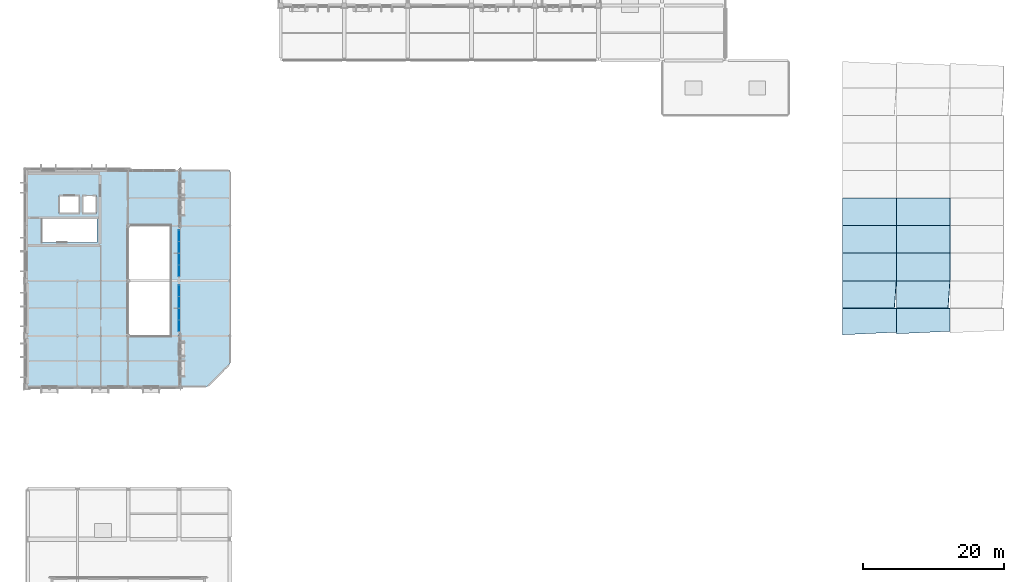
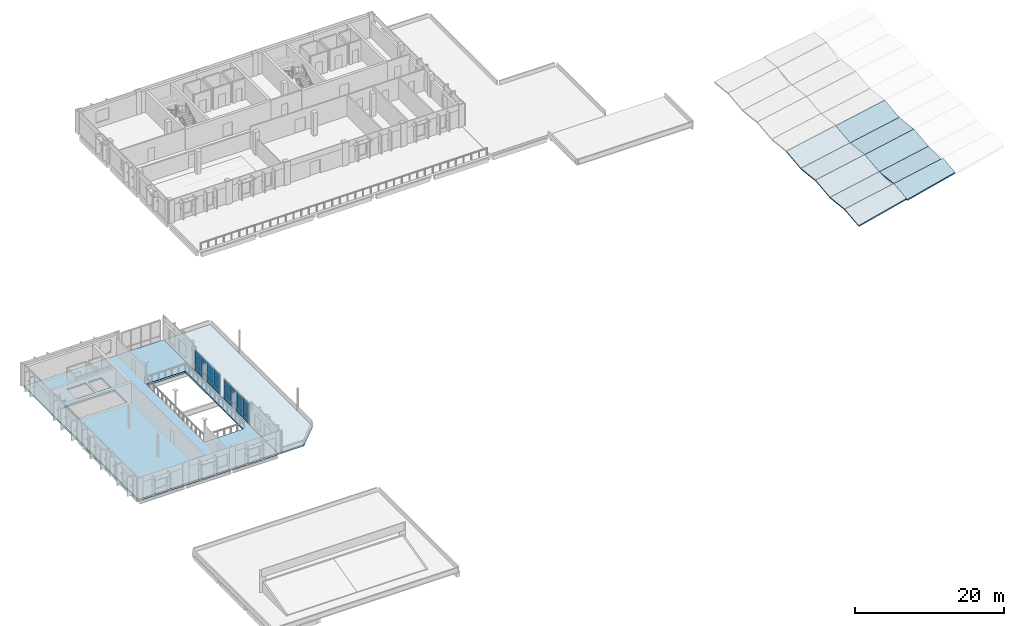
# One storey, part 7 of 23: 16 plates, 12 slabs, 4 elements without a shape of their own.
"""IFC4 building model written with IfcOpenShell, lengths in metres."""

from ifc_helpers import new_model, si_unit, direction, frame, origin, origin_2d, place, context, subcontext, project, spatial, polyline, rectangle, outline, extrude, material, layer, layer_set, type_object, element, aggregate, save


model = new_model("IFC4")

# Units and contexts
model_context = context("Model", 3, precision=1e-05, world=origin(), true_north=direction((0.0, 1.0)))
body_context = subcontext(model_context, "Body", "Model", "MODEL_VIEW")
ifc_project = project(units=[si_unit("LENGTHUNIT", "METRE"), si_unit("AREAUNIT", "SQUARE_METRE"), si_unit("VOLUMEUNIT", "CUBIC_METRE"), si_unit("PLANEANGLEUNIT", "RADIAN"), si_unit("MASSUNIT", "GRAM", prefix="KILO")], contexts=[model_context])

# Site, building, storey
site_placement = place(None, origin())
site = spatial("IfcSite", under=ifc_project, at=site_placement, CompositionType="ELEMENT")
building_placement = place(site_placement, origin())
building = spatial("IfcBuilding", under=site, at=building_placement, Name="Vervanel Yard Central Library", CompositionType="ELEMENT")
storey_placement = place(building_placement, frame((0.0, 0.0, 16.52001953125)))
storey = spatial("IfcBuildingStorey", under=building, at=storey_placement, Name="L04", CompositionType="ELEMENT", Elevation=16.52001953125)

# Curtain wall, plates
ifc_material_1 = material(Name="Thermally broken anodized aluminium 6063-T6", Category="aluminium")
curtain_wall_type = type_object("IfcCurtainWallType", Name="Atrium Courtyard Curtain Wall", PredefinedType="NOTDEFINED", material=ifc_material_1)
curtain_wall_1_placement = place(storey_placement, origin())
curtain_wall_1 = element("IfcCurtainWall", 1, at=curtain_wall_1_placement, inside=storey, type_object=curtain_wall_type, Name="L04 Atrium Courtyard Curtain Wall CWR-L04-043", PredefinedType="NOTDEFINED")
ifc_material_2 = material(Name="Double low-E laminated solar-control glass", Category="glass")
ifc_layer_1 = layer(ifc_material_2, 0.030029296875, Category="glass")
ifc_layer_set_1 = layer_set([ifc_layer_1], Name="Double low-E laminated solar-control glass")
plate_type_1 = type_object("IfcPlateType", Name="Courtyard Clear Low-E Panel 30", PredefinedType="CURTAIN_PANEL", material=ifc_layer_set_1)
plate_1_placement = place(storey_placement, frame((21.60009765625, 44.611328125, 0.88232421875), z_axis=(0.0, 0.0, 1.0), x_axis=(0.0, 1.0, 0.0)))
plate_1 = element("IfcPlate", 2, at=plate_1_placement, type_object=plate_type_1, Name="CWR-L04-043 Panel B1-2", PredefinedType="CURTAIN_PANEL", context=body_context, shape_type="SweptSolid", body=[
    extrude(rectangle(XDim=1.572509765625, YDim=0.030029296875, at=origin_2d()), origin(), (0.0, 0.0, 1.0), 2.492431640625),
])
plate_2_placement = place(storey_placement, frame((21.60009765625, 46.248779296875, 0.88232421875), z_axis=(0.0, 0.0, 1.0), x_axis=(0.0, 1.0, 0.0)))
plate_2 = element("IfcPlate", 3, at=plate_2_placement, type_object=plate_type_1, Name="CWR-L04-043 Panel B2-2", PredefinedType="CURTAIN_PANEL", context=body_context, shape_type="SweptSolid", body=[
    extrude(rectangle(XDim=1.572509765625, YDim=0.030029296875, at=origin_2d()), origin(), (0.0, 0.0, 1.0), 2.492431640625),
])

curtain_wall_2_placement = place(storey_placement, origin())
curtain_wall_2 = element("IfcCurtainWall", 4, at=curtain_wall_2_placement, inside=storey, type_object=curtain_wall_type, Name="L04 Atrium Courtyard Curtain Wall CWR-L04-044", PredefinedType="NOTDEFINED")
plate_3_placement = place(storey_placement, frame((21.60009765625, 47.951171875, 0.88232421875), z_axis=(0.0, 0.0, 1.0), x_axis=(0.0, 1.0, 0.0)))
plate_3 = element("IfcPlate", 5, at=plate_3_placement, type_object=plate_type_1, Name="CWR-L04-044 Panel B1-2", PredefinedType="CURTAIN_PANEL", context=body_context, shape_type="SweptSolid", body=[
    extrude(rectangle(XDim=1.572509765625, YDim=0.030029296875, at=origin_2d()), origin(), (0.0, 0.0, 1.0), 2.492431640625),
])
plate_4_placement = place(storey_placement, frame((21.60009765625, 49.5888671875, 0.88232421875), z_axis=(0.0, 0.0, 1.0), x_axis=(0.0, 1.0, 0.0)))
plate_4 = element("IfcPlate", 6, at=plate_4_placement, type_object=plate_type_1, Name="CWR-L04-044 Panel B2-2", PredefinedType="CURTAIN_PANEL", context=body_context, shape_type="SweptSolid", body=[
    extrude(rectangle(XDim=1.572509765625, YDim=0.030029296875, at=origin_2d()), origin(), (0.0, 0.0, 1.0), 2.492431640625),
])

curtain_wall_3_placement = place(storey_placement, origin())
curtain_wall_3 = element("IfcCurtainWall", 7, at=curtain_wall_3_placement, inside=storey, type_object=curtain_wall_type, Name="L04 Atrium Courtyard Curtain Wall CWR-L04-045", PredefinedType="NOTDEFINED")
plate_5_placement = place(storey_placement, frame((21.60009765625, 52.4111328125, 0.88232421875), z_axis=(0.0, 0.0, 1.0), x_axis=(0.0, 1.0, 0.0)))
plate_5 = element("IfcPlate", 8, at=plate_5_placement, type_object=plate_type_1, Name="CWR-L04-045 Panel B1-2", PredefinedType="CURTAIN_PANEL", context=body_context, shape_type="SweptSolid", body=[
    extrude(rectangle(XDim=1.572509765625, YDim=0.030029296875, at=origin_2d()), origin(), (0.0, 0.0, 1.0), 2.492431640625),
])
plate_6_placement = place(storey_placement, frame((21.60009765625, 54.048828125, 0.88232421875), z_axis=(0.0, 0.0, 1.0), x_axis=(0.0, 1.0, 0.0)))
plate_6 = element("IfcPlate", 9, at=plate_6_placement, type_object=plate_type_1, Name="CWR-L04-045 Panel B2-2", PredefinedType="CURTAIN_PANEL", context=body_context, shape_type="SweptSolid", body=[
    extrude(rectangle(XDim=1.572509765625, YDim=0.030029296875, at=origin_2d()), origin(), (0.0, 0.0, 1.0), 2.492431640625),
])

curtain_wall_4_placement = place(storey_placement, origin())
curtain_wall_4 = element("IfcCurtainWall", 10, at=curtain_wall_4_placement, inside=storey, type_object=curtain_wall_type, Name="L04 Atrium Courtyard Curtain Wall CWR-L04-046", PredefinedType="NOTDEFINED")
plate_7_placement = place(storey_placement, frame((21.60009765625, 55.751220703125, 0.88232421875), z_axis=(0.0, 0.0, 1.0), x_axis=(0.0, 1.0, 0.0)))
plate_7 = element("IfcPlate", 11, at=plate_7_placement, type_object=plate_type_1, Name="CWR-L04-046 Panel B1-2", PredefinedType="CURTAIN_PANEL", context=body_context, shape_type="SweptSolid", body=[
    extrude(rectangle(XDim=1.572509765625, YDim=0.030029296875, at=origin_2d()), origin(), (0.0, 0.0, 1.0), 2.492431640625),
])
plate_8_placement = place(storey_placement, frame((21.60009765625, 57.388671875, 0.88232421875), z_axis=(0.0, 0.0, 1.0), x_axis=(0.0, 1.0, 0.0)))
plate_8 = element("IfcPlate", 12, at=plate_8_placement, type_object=plate_type_1, Name="CWR-L04-046 Panel B2-2", PredefinedType="CURTAIN_PANEL", context=body_context, shape_type="SweptSolid", body=[
    extrude(rectangle(XDim=1.572509765625, YDim=0.030029296875, at=origin_2d()), origin(), (0.0, 0.0, 1.0), 2.492431640625),
])

# Slabs
ifc_material_3 = material(Name="Concrete C40/50", Category="concrete")
ifc_layer_2 = layer(ifc_material_3, 0.25, Category="concrete")
ifc_layer_set_2 = layer_set([ifc_layer_2], Name="Concrete C40/50")
slab_type_1 = type_object("IfcSlabType", Name="Flat Concrete Roof Slab 250", PredefinedType="ROOF", material=ifc_layer_set_2)
slab_1_placement = place(storey_placement, frame((0.0, 0.0, -0.25)))
element("IfcSlab", 13, at=slab_1_placement, inside=storey, type_object=slab_type_1, Name="L04 V2 Flat Concrete Roof Slab 250", PredefinedType="ROOF", context=body_context, shape_type="SweptSolid", body=[
    extrude(outline(polyline([(21.60009765625, 36.0), (25.60009765625, 36.0), (28.800048828125, 39.199951171875), (28.800048828125, 66.60009765625), (21.60009765625, 66.60009765625), (21.60009765625, 36.0)])), origin(), (0.0, 0.0, 1.0), 0.25),
])
ifc_material_4 = material(Name="Concrete C45/55", Category="concrete")
ifc_layer_3 = layer(ifc_material_4, 0.219970703125, Category="concrete")
ifc_layer_set_3 = layer_set([ifc_layer_3], Name="Concrete C45/55")
slab_type_2 = type_object("IfcSlabType", Name="Folded Shell Roof Typical Plate 220", PredefinedType="ROOF", material=ifc_layer_set_3)
slab_2_placement = place(storey_placement, frame((115.60009765625, 43.340087890625, -0.187255859375), z_axis=(-0.194580948292, -0.109316627807, 0.974775938073), x_axis=(0.978589354596, 0.046337057898, 0.200538654969)))
element("IfcSlab", 14, at=slab_2_placement, inside=storey, type_object=slab_type_2, Name="L04 V3 Folded Shell Roof Typical Plate 220 V3-FS-B2-S01", PredefinedType="ROOF", context=body_context, shape_type="SweptSolid", body=[
    extrude(outline(polyline([(0.0, 0.0), (7.766124248683409, 1.1102230246251565e-16), (8.000151979250896, 3.41345179695957), (0.25878107563859476, 3.774715667804669), (0.0, 0.0)])), origin(), (0.0, 0.0, -1.0), 0.219970703125),
])
slab_3_placement = place(storey_placement, frame((115.60009765625, 47.10009765625, 0.234375), z_axis=(-0.19458552408, 0.109290722228, 0.974777929507), x_axis=(0.980652206278, 6.1752e-08, 0.195758142417)))
element("IfcSlab", 15, at=slab_3_placement, inside=storey, type_object=slab_type_2, Name="L04 V3 Folded Shell Roof Typical Plate 220 V3-FS-B2-S02", PredefinedType="ROOF", context=body_context, shape_type="SweptSolid", body=[
    extrude(outline(polyline([(0.0, 0.0), (7.464239973385156, 0.0), (7.664199653212836, 3.923403733908587), (-0.08559615396482059, 3.92340467907061), (0.0, 0.0)])), origin(), (0.0, 0.0, -1.0), 0.219970703125),
])
slab_4_placement = place(storey_placement, frame((115.60009765625, 51.0, -0.202880859375), z_axis=(-0.194586035014, -0.109291778946, 0.974777709035), x_axis=(0.980652097773, 0.0, 0.19575868597)))
element("IfcSlab", 16, at=slab_4_placement, inside=storey, type_object=slab_type_2, Name="L04 V3 Folded Shell Roof Typical Plate 220 V3-FS-B2-S03", PredefinedType="ROOF", context=body_context, shape_type="SweptSolid", body=[
    extrude(outline(polyline([(0.0, 0.0), (7.749795807178863, 0.0), (7.835392439642844, 3.923404668633525), (0.08559663246398108, 3.9234046686335247), (0.0, 0.0)])), origin(), (0.0, 0.0, -1.0), 0.219970703125),
])
slab_5_placement = place(storey_placement, frame((115.60009765625, 54.89990234375, 0.234375), z_axis=(-0.194586180504, 0.109285019231, 0.974778437866), x_axis=(0.980652097773, 0.0, 0.19575868597)))
element("IfcSlab", 17, at=slab_5_placement, inside=storey, type_object=slab_type_2, Name="L04 V3 Folded Shell Roof Typical Plate 220 V3-FS-B2-S04", PredefinedType="ROOF", context=body_context, shape_type="SweptSolid", body=[
    extrude(outline(polyline([(0.0, 0.0), (7.749795807178863, 0.0), (7.664199174714882, 3.9236473468765336), (-0.08559663246398108, 3.923647346876534), (0.0, 0.0)])), origin(), (0.0, 0.0, -1.0), 0.219970703125),
])
slab_6_placement = place(storey_placement, frame((115.60009765625, 58.800048828125, -0.202880859375), z_axis=(-0.194586035014, -0.109291778946, 0.974777709035), x_axis=(0.980652097773, 0.0, 0.19575868597)))
element("IfcSlab", 18, at=slab_6_placement, inside=storey, type_object=slab_type_2, Name="L04 V3 Folded Shell Roof Typical Plate 220 V3-FS-B2-S05", PredefinedType="ROOF", context=body_context, shape_type="SweptSolid", body=[
    extrude(outline(polyline([(0.0, 0.0), (7.749795807178863, 0.0), (7.835392439642844, 3.923404668633525), (0.08559663246398108, 3.9234046686335247), (0.0, 0.0)])), origin(), (0.0, 0.0, -1.0), 0.219970703125),
])
slab_7_placement = place(storey_placement, frame((123.199951171875, 43.47998046875, 1.345458984375), z_axis=(-0.194572283574, -0.109338366295, 0.974775229538), x_axis=(0.978588827667, 0.046366757258, 0.200534361609)))
element("IfcSlab", 19, at=slab_7_placement, inside=storey, type_object=slab_type_2, Name="L04 V3 Folded Shell Roof Typical Plate 220 V3-FS-B3-S01", PredefinedType="ROOF", context=body_context, shape_type="SweptSolid", body=[
    extrude(outline(polyline([(0.0, 0.0), (7.766374478746436, 0.0), (7.990870519604126, 3.272769203300042), (0.24927122069672183, 3.634274764623219), (0.0, 0.0)])), origin(), (0.0, 0.0, -1.0), 0.219970703125),
])
slab_8_placement = place(storey_placement, frame((123.199951171875, 47.10009765625, 1.75146484375), z_axis=(-0.194563418676, 0.109320552059, 0.974778997009), x_axis=(0.98065647984, -1.635151e-06, 0.195736732742)))
element("IfcSlab", 20, at=slab_8_placement, inside=storey, type_object=slab_type_2, Name="L04 V3 Folded Shell Roof Typical Plate 220 V3-FS-B3-S02", PredefinedType="ROOF", context=body_context, shape_type="SweptSolid", body=[
    extrude(outline(polyline([(0.0, 0.0), (7.4644793897737465, 2.7755575615628914e-17), (7.664394025810624, 3.923429765290829), (-0.08559341021361667, 3.9234047373431897), (0.0, 0.0)])), origin(), (0.0, 0.0, -1.0), 0.219970703125),
])
slab_9_placement = place(storey_placement, frame((123.199951171875, 51.0, 1.314208984375), z_axis=(-0.194564308154, -0.109322391728, 0.974778613153), x_axis=(0.980656364614, -1.678511e-06, 0.195737310036)))
element("IfcSlab", 21, at=slab_9_placement, inside=storey, type_object=slab_type_2, Name="L04 V3 Folded Shell Roof Typical Plate 220 V3-FS-B3-S03", PredefinedType="ROOF", context=body_context, shape_type="SweptSolid", body=[
    extrude(outline(polyline([(0.0, 0.0), (7.749987435955398, -2.7755575615628914e-17), (7.8356159630672435, 3.9234311873629717), (0.08558073968263796, 3.9234050135285425), (0.0, 0.0)])), origin(), (0.0, 0.0, -1.0), 0.219970703125),
])
slab_10_placement = place(storey_placement, frame((123.199951171875, 54.89990234375, 1.75146484375), z_axis=(-0.194564453709, 0.109315630166, 0.974779342392), x_axis=(0.98065629235, -1.678398e-06, 0.195737672081)))
element("IfcSlab", 22, at=slab_10_placement, inside=storey, type_object=slab_type_2, Name="L04 V3 Folded Shell Roof Typical Plate 220 V3-FS-B3-S04", PredefinedType="ROOF", context=body_context, shape_type="SweptSolid", body=[
    extrude(outline(polyline([(0.0, 0.0), (7.750035223428805, -5.551115123125783e-17), (7.664393445895312, 3.9236735747720624), (-0.08559399001589456, 3.9236474027178594), (0.0, 0.0)])), origin(), (0.0, 0.0, -1.0), 0.219970703125),
])
slab_11_placement = place(storey_placement, frame((123.199951171875, 58.800048828125, 1.314208984375), z_axis=(-0.194564308154, -0.109322391728, 0.974778613153), x_axis=(0.980656364614, -1.678511e-06, 0.195737310036)))
element("IfcSlab", 23, at=slab_11_placement, inside=storey, type_object=slab_type_2, Name="L04 V3 Folded Shell Roof Typical Plate 220 V3-FS-B3-S05", PredefinedType="ROOF", context=body_context, shape_type="SweptSolid", body=[
    extrude(outline(polyline([(0.0, 0.0), (7.749987435955398, -2.7755575615628914e-17), (7.8356159630672435, 3.9234311873629717), (0.08558073968263796, 3.9234050135285425), (0.0, 0.0)])), origin(), (0.0, 0.0, -1.0), 0.219970703125),
])

# Plate
ifc_material_5 = material(Name="Insulated bronze aluminium spandrel panel", Category="aluminium")
ifc_layer_4 = layer(ifc_material_5, 0.080078125, Category="aluminium")
ifc_layer_set_4 = layer_set([ifc_layer_4], Name="Insulated bronze aluminium spandrel panel")
plate_type_2 = type_object("IfcPlateType", Name="Insulated Bronze Spandrel Panel 80", PredefinedType="CURTAIN_PANEL", material=ifc_layer_set_4)
plate_9_placement = place(storey_placement, frame((21.60009765625, 44.611328125, 0.06494140625), z_axis=(0.0, 0.0, 1.0), x_axis=(0.0, 1.0, 0.0)))
plate_9 = element("IfcPlate", 24, at=plate_9_placement, type_object=plate_type_2, Name="CWR-L04-043 Panel B1-1", PredefinedType="CURTAIN_PANEL", context=body_context, shape_type="SweptSolid", body=[
    extrude(rectangle(XDim=1.572509765625, YDim=0.080078125, at=origin_2d()), origin(), (0.0, 0.0, 1.0), 0.75244140625),
])

plate_10_placement = place(storey_placement, frame((21.60009765625, 46.248779296875, 0.06494140625), z_axis=(0.0, 0.0, 1.0), x_axis=(0.0, 1.0, 0.0)))
plate_10 = element("IfcPlate", 25, at=plate_10_placement, type_object=plate_type_2, Name="CWR-L04-043 Panel B2-1", PredefinedType="CURTAIN_PANEL", context=body_context, shape_type="SweptSolid", body=[
    extrude(rectangle(XDim=1.572509765625, YDim=0.080078125, at=origin_2d()), origin(), (0.0, 0.0, 1.0), 0.75244140625),
])

aggregate(curtain_wall_1, [plate_9, plate_1, plate_10, plate_2])

plate_11_placement = place(storey_placement, frame((21.60009765625, 47.951171875, 0.06494140625), z_axis=(0.0, 0.0, 1.0), x_axis=(0.0, 1.0, 0.0)))
plate_11 = element("IfcPlate", 26, at=plate_11_placement, type_object=plate_type_2, Name="CWR-L04-044 Panel B1-1", PredefinedType="CURTAIN_PANEL", context=body_context, shape_type="SweptSolid", body=[
    extrude(rectangle(XDim=1.572509765625, YDim=0.080078125, at=origin_2d()), origin(), (0.0, 0.0, 1.0), 0.75244140625),
])

plate_12_placement = place(storey_placement, frame((21.60009765625, 49.5888671875, 0.06494140625), z_axis=(0.0, 0.0, 1.0), x_axis=(0.0, 1.0, 0.0)))
plate_12 = element("IfcPlate", 27, at=plate_12_placement, type_object=plate_type_2, Name="CWR-L04-044 Panel B2-1", PredefinedType="CURTAIN_PANEL", context=body_context, shape_type="SweptSolid", body=[
    extrude(rectangle(XDim=1.572509765625, YDim=0.080078125, at=origin_2d()), origin(), (0.0, 0.0, 1.0), 0.75244140625),
])

aggregate(curtain_wall_2, [plate_11, plate_3, plate_12, plate_4])

plate_13_placement = place(storey_placement, frame((21.60009765625, 52.4111328125, 0.06494140625), z_axis=(0.0, 0.0, 1.0), x_axis=(0.0, 1.0, 0.0)))
plate_13 = element("IfcPlate", 28, at=plate_13_placement, type_object=plate_type_2, Name="CWR-L04-045 Panel B1-1", PredefinedType="CURTAIN_PANEL", context=body_context, shape_type="SweptSolid", body=[
    extrude(rectangle(XDim=1.572509765625, YDim=0.080078125, at=origin_2d()), origin(), (0.0, 0.0, 1.0), 0.75244140625),
])

plate_14_placement = place(storey_placement, frame((21.60009765625, 54.048828125, 0.06494140625), z_axis=(0.0, 0.0, 1.0), x_axis=(0.0, 1.0, 0.0)))
plate_14 = element("IfcPlate", 29, at=plate_14_placement, type_object=plate_type_2, Name="CWR-L04-045 Panel B2-1", PredefinedType="CURTAIN_PANEL", context=body_context, shape_type="SweptSolid", body=[
    extrude(rectangle(XDim=1.572509765625, YDim=0.080078125, at=origin_2d()), origin(), (0.0, 0.0, 1.0), 0.75244140625),
])

aggregate(curtain_wall_3, [plate_13, plate_5, plate_14, plate_6])

plate_15_placement = place(storey_placement, frame((21.60009765625, 55.751220703125, 0.06494140625), z_axis=(0.0, 0.0, 1.0), x_axis=(0.0, 1.0, 0.0)))
plate_15 = element("IfcPlate", 30, at=plate_15_placement, type_object=plate_type_2, Name="CWR-L04-046 Panel B1-1", PredefinedType="CURTAIN_PANEL", context=body_context, shape_type="SweptSolid", body=[
    extrude(rectangle(XDim=1.572509765625, YDim=0.080078125, at=origin_2d()), origin(), (0.0, 0.0, 1.0), 0.75244140625),
])

plate_16_placement = place(storey_placement, frame((21.60009765625, 57.388671875, 0.06494140625), z_axis=(0.0, 0.0, 1.0), x_axis=(0.0, 1.0, 0.0)))
plate_16 = element("IfcPlate", 31, at=plate_16_placement, type_object=plate_type_2, Name="CWR-L04-046 Panel B2-1", PredefinedType="CURTAIN_PANEL", context=body_context, shape_type="SweptSolid", body=[
    extrude(rectangle(XDim=1.572509765625, YDim=0.080078125, at=origin_2d()), origin(), (0.0, 0.0, 1.0), 0.75244140625),
])

aggregate(curtain_wall_4, [plate_15, plate_7, plate_16, plate_8])

# Slab
ifc_layer_5 = layer(ifc_material_3, 0.280029296875, Category="concrete")
ifc_layer_set_5 = layer_set([ifc_layer_5], Name="Concrete C40/50")
slab_type_3 = type_object("IfcSlabType", Name="Reading Wing Floor Slab 280", PredefinedType="FLOOR", material=ifc_layer_set_5)
slab_12_placement = place(storey_placement, frame((0.0, 0.0, -0.280029296875)))
element("IfcSlab", 32, at=slab_12_placement, inside=storey, type_object=slab_type_3, Name="L04 V2 Reading Wing Floor Slab 280", PredefinedType="FLOOR", context=body_context, shape_type="SweptSolid", body=[
    extrude(outline(polyline([(0.0, 36.0), (21.60009765625, 36.0), (21.60009765625, 66.60009765625), (0.0, 66.60009765625), (0.0, 36.0)]), holes=[polyline([(14.39990234375, 43.199951171875), (20.39990234375, 43.199951171875), (20.39990234375, 58.800048828125), (14.39990234375, 58.800048828125), (14.39990234375, 43.199951171875)]), polyline([(2.235107421875, 56.39990234375), (10.0, 56.39990234375), (10.0, 59.719970703125), (2.235107421875, 59.719970703125), (2.235107421875, 56.39990234375)]), polyline([(4.60009765625, 60.5), (7.5, 60.5), (7.5, 63.10009765625), (4.60009765625, 63.10009765625), (4.60009765625, 60.5)]), polyline([(7.89990234375, 60.5), (9.89990234375, 60.5), (9.89990234375, 63.10009765625), (7.89990234375, 63.10009765625), (7.89990234375, 60.5)])]), origin(), (0.0, 0.0, 1.0), 0.280029296875),
])

save(model, "model.ifc")
